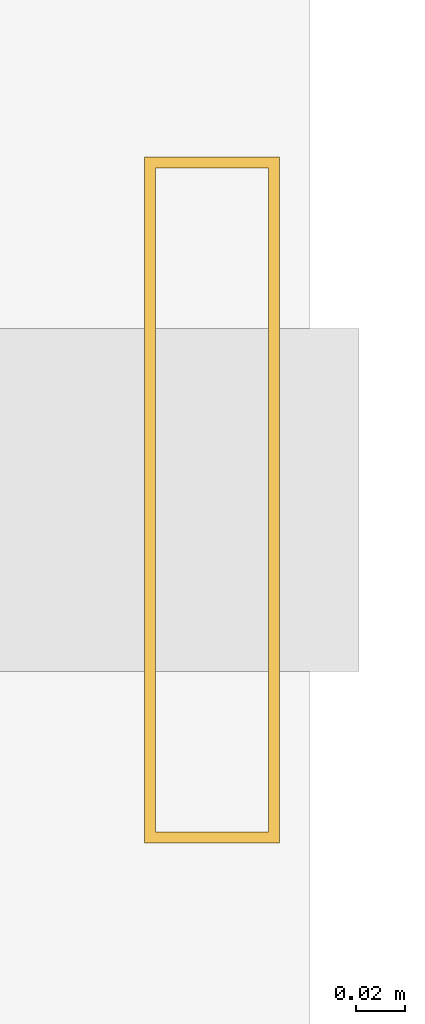
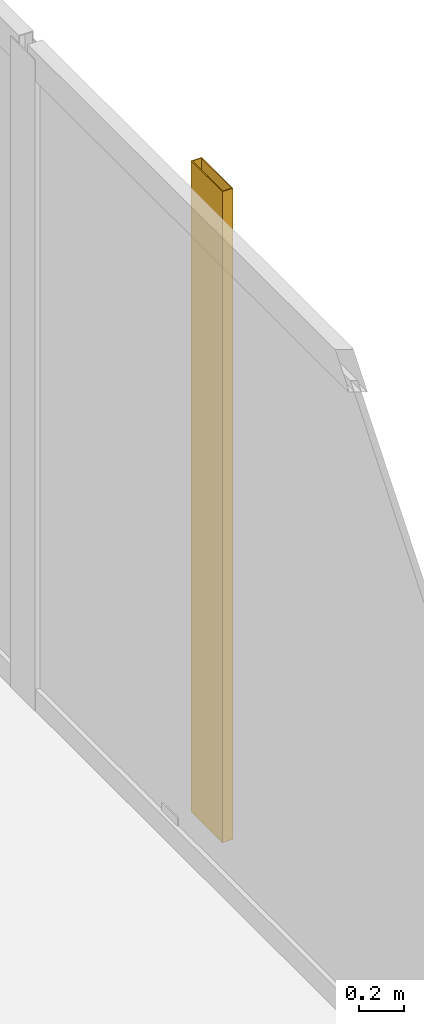
# One storey, part 22 of 22: 1 shading device.
"""IFC4 building model written with IfcOpenShell, lengths in metres."""

from ifc_helpers import new_model, si_unit, direction, frame, origin, origin_2d, place, context, subcontext, project, spatial, hollow_rectangle, extrude, material, material_profile, profile_set, type_object, element, save


model = new_model("IFC4")

# Units and contexts
model_context = context("Model", 3, precision=1e-05, world=origin(), true_north=direction((0.0, 1.0)))
body_context = subcontext(model_context, "Body", "Model", "MODEL_VIEW")
ifc_project = project(units=[si_unit("LENGTHUNIT", "METRE"), si_unit("AREAUNIT", "SQUARE_METRE"), si_unit("VOLUMEUNIT", "CUBIC_METRE"), si_unit("PLANEANGLEUNIT", "RADIAN"), si_unit("MASSUNIT", "GRAM", prefix="KILO")], contexts=[model_context])

# Site, building, storey
site_placement = place(None, origin())
site = spatial("IfcSite", under=ifc_project, at=site_placement, CompositionType="ELEMENT")
building_placement = place(site_placement, origin())
building = spatial("IfcBuilding", under=site, at=building_placement, Name="Kolvaren Waterfront Exchange", CompositionType="ELEMENT")
storey_placement = place(building_placement, frame((0.0, 0.0, 274.199951171875)))
storey = spatial("IfcBuildingStorey", under=building, at=storey_placement, Name="L70", CompositionType="ELEMENT", Elevation=274.199951171875)

# Shading device
ifc_material = material(Name="Anodised bronze aluminium 6063-T6", Category="aluminium")
ifc_material_profile = material_profile(ifc_material, hollow_rectangle(XDim=0.054931640625, YDim=0.280029296875, WallThickness=0.00439453125, at=origin_2d()), Name="BRZ-FIN-280x55x4.5")
ifc_profile_set = profile_set([ifc_material_profile], Name="Anodised bronze aluminium 6063-T6")
shading_device_type = type_object("IfcShadingDeviceType", Name="ARC-FIN-280", PredefinedType="USERDEFINED", material=ifc_profile_set)
shading_device_placement = place(storey_placement, frame((21.328369140625, 38.39990234375, 0.0), z_axis=(0.0, 0.0, 1.0), x_axis=(1.0, 0.0, 0.0)))
element("IfcShadingDevice", 1, at=shading_device_placement, inside=storey, type_object=shading_device_type, Name="L70 anodised bronze solar shading fin FIN-L70-E3", ObjectType="SOLAR FIN", PredefinedType="USERDEFINED", context=body_context, shape_type="SweptSolid", body=[
    extrude(hollow_rectangle(XDim=0.054931640625, YDim=0.280029296875, WallThickness=0.00439453125, at=origin_2d()), origin(), (0.0, 0.0, 1.0), 3.56005859375),
])

save(model, "model.ifc")
